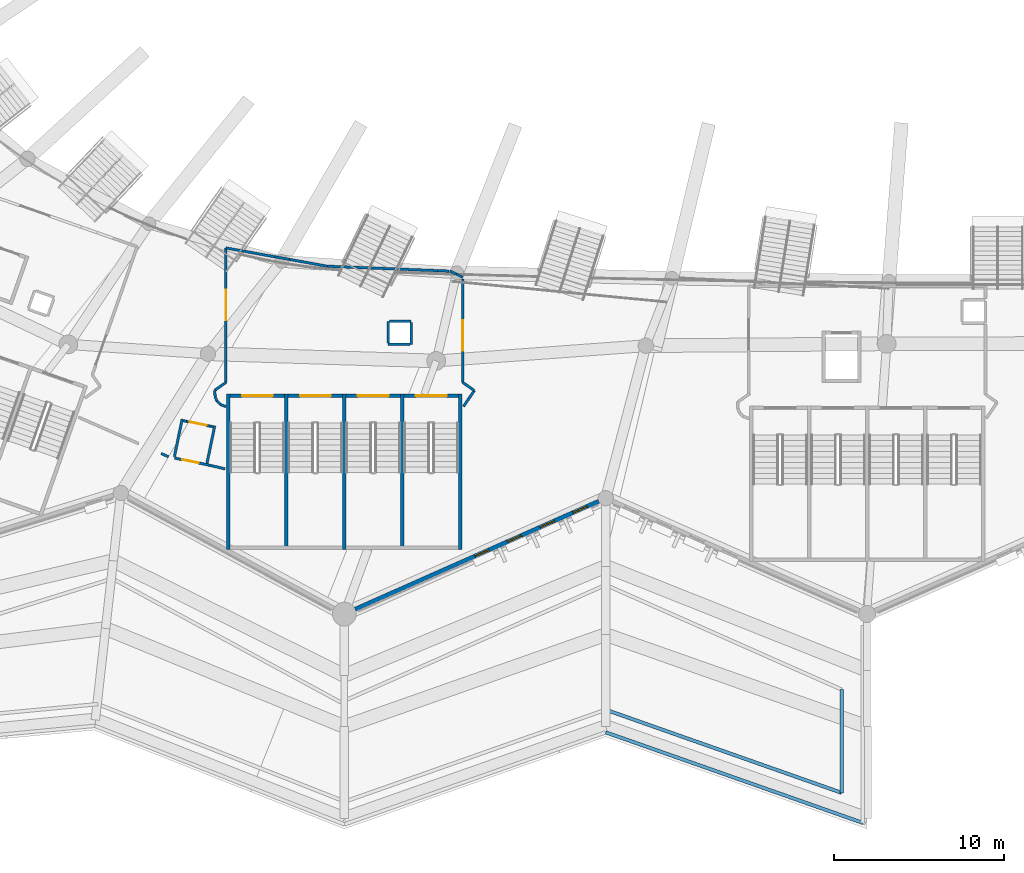
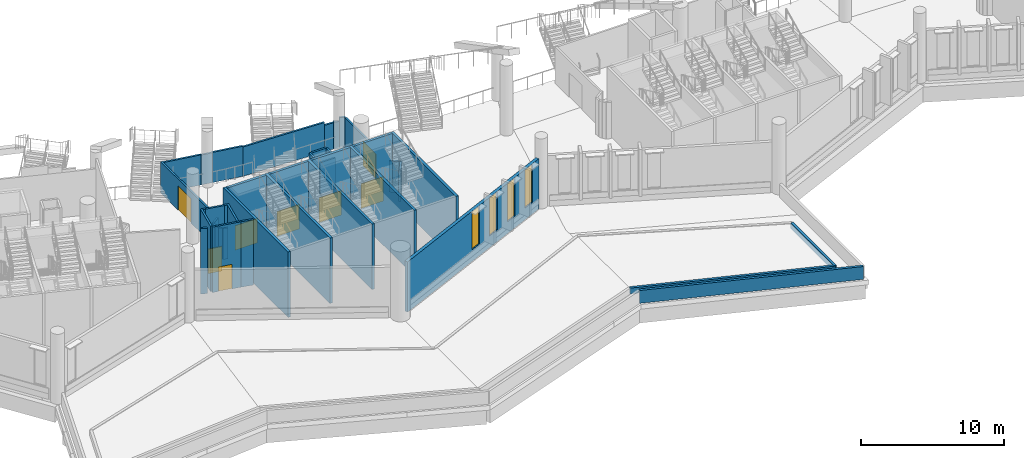
# One storey, part 45 of 173: 41 walls, 8 doors, 4 windows, 12 openings.
"""IFC4 building model written with IfcOpenShell, lengths in metres."""

from ifc_helpers import new_model, si_unit, direction, frame, frame_2d, origin, place, context, subcontext, project, spatial, rectangle, extrude, material, layer, layer_set, type_object, element, fill, save


model = new_model("IFC4")

# Units and contexts
model_context = context("Model", 3, precision=1e-05, world=origin(), true_north=direction((0.0, 1.0)))
body_context = subcontext(model_context, "Body", "Model", "MODEL_VIEW")
ifc_project = project(units=[si_unit("LENGTHUNIT", "METRE"), si_unit("AREAUNIT", "SQUARE_METRE"), si_unit("VOLUMEUNIT", "CUBIC_METRE"), si_unit("PLANEANGLEUNIT", "RADIAN"), si_unit("MASSUNIT", "GRAM", prefix="KILO")], contexts=[model_context])

# Site, building, storey
site_placement = place(None, origin())
site = spatial("IfcSite", under=ifc_project, at=site_placement, CompositionType="ELEMENT")
building_placement = place(site_placement, origin())
building = spatial("IfcBuilding", under=site, at=building_placement, Name="Meseta Stadium", CompositionType="ELEMENT")
storey_placement = place(building_placement, frame((0.0, 0.0, 18.0)))
storey = spatial("IfcBuildingStorey", under=building, at=storey_placement, Name="L03", CompositionType="ELEMENT", Elevation=18.0)

# Walls
ifc_material_1 = material(Name="Concrete C40/50", Category="concrete")
ifc_layer_1 = layer(ifc_material_1, 0.199951171875)
ifc_layer_set_1 = layer_set([ifc_layer_1], Name="Core divider wall 200")
wall_type_1 = type_object("IfcWallType", Name="Core divider wall 200", PredefinedType="SHEAR", material=ifc_layer_set_1)
for number, where, z_axis, x_axis, name in (
    (1, (-41.7333984375, -101.60009765625, 0.0), (0.0, 0.0, 1.0), (0.0, 1.0, 0.0), "Core 23 L03 stair A divider wall"),
    (2, (-34.933349609375, -101.60009765625, 0.0), (0.0, 0.0, 1.0), (0.0, 1.0, 0.0), "Core 23 L03 stair B divider wall"),
):
    element("IfcWall", number, at=place(storey_placement, frame(where, z_axis=z_axis, x_axis=x_axis)), inside=storey, type_object=wall_type_1, Name=name, PredefinedType="SHEAR", context=body_context, shape_type="SweptSolid", body=[
        extrude(rectangle(XDim=9.10009765625, YDim=0.199951171875, at=frame_2d((4.550048828125, 0.0))), origin(), (0.0, 0.0, 1.0), 5.60009765625),
    ])
ifc_material_2 = material(Name="Concrete C40/50", Category="concrete")
ifc_layer_2 = layer(ifc_material_2, 0.199951171875)
ifc_layer_set_2 = layer_set([ifc_layer_2], Name="Core shaft wall 200")
wall_type_2 = type_object("IfcWallType", Name="Core shaft wall 200", PredefinedType="SHEAR", material=ifc_layer_set_2)
for number, where, z_axis, x_axis, name in (
    (3, (-45.13330078125, -101.60009765625, 0.0), (0.0, 0.0, 1.0), (0.0, 1.0, 0.0), "Core 23 L03 stair wall A-side"),
    (4, (-38.333251953125, -101.60009765625, 0.0), (0.0, 0.0, 1.0), (0.0, 1.0, 0.0), "Core 23 L03 stair wall shared"),
    (5, (-31.533203125, -101.60009765625, 0.0), (0.0, 0.0, 1.0), (0.0, 1.0, 0.0), "Core 23 L03 stair wall B-side"),
):
    element("IfcWall", number, at=place(storey_placement, frame(where, z_axis=z_axis, x_axis=x_axis)), inside=storey, type_object=wall_type_2, Name=name, PredefinedType="SHEAR", context=body_context, shape_type="SweptSolid", body=[
        extrude(rectangle(XDim=9.10009765625, YDim=0.199951171875, at=frame_2d((4.550048828125, 0.0))), origin(), (0.0, 0.0, 1.0), 5.60009765625),
    ])

# Wall, opening, door
wall_1_placement = place(storey_placement, frame((-45.033203125, -92.60009765625, 0.0), z_axis=(0.0, 0.0, 1.0), x_axis=(1.0, 0.0, 0.0)))
wall_1 = element("IfcWall", 6, at=wall_1_placement, inside=storey, type_object=wall_type_2, Name="Core 23 L03 stair A1 inner end wall", PredefinedType="SHEAR", context=body_context, shape_type="SweptSolid", body=[
    extrude(rectangle(XDim=3.199951171875, YDim=0.199951171875, at=frame_2d((1.60009765625, 0.0))), origin(), (0.0, 0.0, 1.0), 5.60009765625),
])
opening_1_placement = place(wall_1_placement, frame((0.699951171875, 0.0, 0.0)))
opening_1 = element("IfcOpeningElement", 7, at=opening_1_placement, cuts=wall_1, Name="Opening D1373", PredefinedType="OPENING", context=body_context, shape_type="SweptSolid", body=[
    extrude(rectangle(XDim=1.800048828125, YDim=2.10009765625, at=frame_2d((0.89990234375, 1.050048828125))), frame((0.0, 0.10986328125, 0.0), z_axis=(0.0, -1.0, 0.0), x_axis=(1.0, 0.0, 0.0)), (0.0, 0.0, 1.0), 0.219970703125),
])
ifc_material_3 = material(Name="Steel", Category="steel")
door_type_1 = type_object("IfcDoorType", Name="Stair door 1800x2100", OperationType="DOUBLE_DOOR_SINGLE_SWING", PredefinedType="DOOR", material=ifc_material_3)
door_1_placement = place(opening_1_placement, origin())
door_1 = element("IfcDoor", 8, at=door_1_placement, inside=storey, type_object=door_type_1, Name="Stair A1 door 23 L03", OperationType="DOUBLE_DOOR_SINGLE_SWING", OverallHeight=2.10009765625, OverallWidth=1.800048828125, PredefinedType="DOOR", context=body_context, shape_type="SweptSolid", body=[
    extrude(rectangle(XDim=1.800048828125, YDim=2.10009765625, at=frame_2d((0.89990234375, 1.050048828125))), frame((0.0, 0.02490234375, 0.0), z_axis=(0.0, -1.0, 0.0), x_axis=(1.0, 0.0, 0.0)), (0.0, 0.0, 1.0), 0.050048828125),
])
fill(opening_1, door_1)

wall_2_placement = place(storey_placement, frame((-41.63330078125, -92.60009765625, 0.0), z_axis=(0.0, 0.0, 1.0), x_axis=(1.0, 0.0, 0.0)))
wall_2 = element("IfcWall", 9, at=wall_2_placement, inside=storey, type_object=wall_type_2, Name="Core 23 L03 stair A2 inner end wall", PredefinedType="SHEAR", context=body_context, shape_type="SweptSolid", body=[
    extrude(rectangle(XDim=3.199951171875, YDim=0.199951171875, at=frame_2d((1.60009765625, 0.0))), origin(), (0.0, 0.0, 1.0), 5.60009765625),
])
opening_2_placement = place(wall_2_placement, frame((0.699951171875, 0.0, 0.0)))
opening_2 = element("IfcOpeningElement", 10, at=opening_2_placement, cuts=wall_2, Name="Opening D1374", PredefinedType="OPENING", context=body_context, shape_type="SweptSolid", body=[
    extrude(rectangle(XDim=1.800048828125, YDim=2.10009765625, at=frame_2d((0.89990234375, 1.050048828125))), frame((0.0, 0.10986328125, 0.0), z_axis=(0.0, -1.0, 0.0), x_axis=(1.0, 0.0, 0.0)), (0.0, 0.0, 1.0), 0.219970703125),
])
door_2_placement = place(opening_2_placement, origin())
door_2 = element("IfcDoor", 11, at=door_2_placement, inside=storey, type_object=door_type_1, Name="Stair A2 door 23 L03", OperationType="DOUBLE_DOOR_SINGLE_SWING", OverallHeight=2.10009765625, OverallWidth=1.800048828125, PredefinedType="DOOR", context=body_context, shape_type="SweptSolid", body=[
    extrude(rectangle(XDim=1.800048828125, YDim=2.10009765625, at=frame_2d((0.89990234375, 1.050048828125))), frame((0.0, 0.02490234375, 0.0), z_axis=(0.0, -1.0, 0.0), x_axis=(1.0, 0.0, 0.0)), (0.0, 0.0, 1.0), 0.050048828125),
])
fill(opening_2, door_2)

wall_3_placement = place(storey_placement, frame((-38.2333984375, -92.60009765625, 0.0), z_axis=(0.0, 0.0, 1.0), x_axis=(1.0, 0.0, 0.0)))
wall_3 = element("IfcWall", 12, at=wall_3_placement, inside=storey, type_object=wall_type_2, Name="Core 23 L03 stair B1 inner end wall", PredefinedType="SHEAR", context=body_context, shape_type="SweptSolid", body=[
    extrude(rectangle(XDim=3.2001953125, YDim=0.199951171875, at=frame_2d((1.60009765625, 0.0))), origin(), (0.0, 0.0, 1.0), 5.60009765625),
])
opening_3_placement = place(wall_3_placement, frame((0.699951171875, 0.0, 0.0)))
opening_3 = element("IfcOpeningElement", 13, at=opening_3_placement, cuts=wall_3, Name="Opening D1375", PredefinedType="OPENING", context=body_context, shape_type="SweptSolid", body=[
    extrude(rectangle(XDim=1.800048828125, YDim=2.10009765625, at=frame_2d((0.89990234375, 1.050048828125))), frame((0.0, 0.10986328125, 0.0), z_axis=(0.0, -1.0, 0.0), x_axis=(1.0, 0.0, 0.0)), (0.0, 0.0, 1.0), 0.219970703125),
])
door_3_placement = place(opening_3_placement, origin())
door_3 = element("IfcDoor", 14, at=door_3_placement, inside=storey, type_object=door_type_1, Name="Stair B1 door 23 L03", OperationType="DOUBLE_DOOR_SINGLE_SWING", OverallHeight=2.10009765625, OverallWidth=1.800048828125, PredefinedType="DOOR", context=body_context, shape_type="SweptSolid", body=[
    extrude(rectangle(XDim=1.800048828125, YDim=2.10009765625, at=frame_2d((0.89990234375, 1.050048828125))), frame((0.0, 0.02490234375, 0.0), z_axis=(0.0, -1.0, 0.0), x_axis=(1.0, 0.0, 0.0)), (0.0, 0.0, 1.0), 0.050048828125),
])
fill(opening_3, door_3)

wall_4_placement = place(storey_placement, frame((-34.833251953125, -92.60009765625, 0.0), z_axis=(0.0, 0.0, 1.0), x_axis=(1.0, 0.0, 0.0)))
wall_4 = element("IfcWall", 15, at=wall_4_placement, inside=storey, type_object=wall_type_2, Name="Core 23 L03 stair B2 inner end wall", PredefinedType="SHEAR", context=body_context, shape_type="SweptSolid", body=[
    extrude(rectangle(XDim=3.199951171875, YDim=0.199951171875, at=frame_2d((1.60009765625, 0.0))), origin(), (0.0, 0.0, 1.0), 5.60009765625),
])
opening_4_placement = place(wall_4_placement, frame((0.699951171875, 0.0, 0.0)))
opening_4 = element("IfcOpeningElement", 16, at=opening_4_placement, cuts=wall_4, Name="Opening D1376", PredefinedType="OPENING", context=body_context, shape_type="SweptSolid", body=[
    extrude(rectangle(XDim=1.800048828125, YDim=2.10009765625, at=frame_2d((0.89990234375, 1.050048828125))), frame((0.0, 0.10986328125, 0.0), z_axis=(0.0, -1.0, 0.0), x_axis=(1.0, 0.0, 0.0)), (0.0, 0.0, 1.0), 0.219970703125),
])
door_4_placement = place(opening_4_placement, origin())
door_4 = element("IfcDoor", 17, at=door_4_placement, inside=storey, type_object=door_type_1, Name="Stair B2 door 23 L03", OperationType="DOUBLE_DOOR_SINGLE_SWING", OverallHeight=2.10009765625, OverallWidth=1.800048828125, PredefinedType="DOOR", context=body_context, shape_type="SweptSolid", body=[
    extrude(rectangle(XDim=1.800048828125, YDim=2.10009765625, at=frame_2d((0.89990234375, 1.050048828125))), frame((0.0, 0.02490234375, 0.0), z_axis=(0.0, -1.0, 0.0), x_axis=(1.0, 0.0, 0.0)), (0.0, 0.0, 1.0), 0.050048828125),
])
fill(opening_4, door_4)

# Wall
ifc_material_4 = material(Name="Masonry blockwork", Category="masonry")
ifc_layer_3 = layer(ifc_material_4, 0.14990234375)
ifc_layer_set_3 = layer_set([ifc_layer_3], Name="Partition 150")
wall_type_3 = type_object("IfcWallType", Name="Partition 150", PredefinedType="PARTITIONING", material=ifc_layer_set_3)
wall_5_placement = place(storey_placement, frame((-49.082763671875, -95.978515625, 0.0), z_axis=(0.0, 0.0, 1.0), x_axis=(0.915644030191, -0.401990062035, 0.0)))
element("IfcWall", 18, at=wall_5_placement, inside=storey, type_object=wall_type_3, Name="Partition L03 L03-cell21-1-0", PredefinedType="PARTITIONING", context=body_context, shape_type="SweptSolid", body=[
    extrude(rectangle(XDim=0.48095703125, YDim=0.14990234375, at=frame_2d((0.240478515625, 0.0))), origin(), (0.0, 0.0, 1.0), 5.60009765625),
])

# Wall, opening, door
wall_6_placement = place(storey_placement, frame((-48.29150390625, -96.244140625, 0.0), z_axis=(0.0, 0.0, 1.0), x_axis=(0.979454370032, -0.201665904471, 0.0)))
wall_6 = element("IfcWall", 19, at=wall_6_placement, inside=storey, type_object=wall_type_3, Name="Partition L03 L03-cell21-1-0", PredefinedType="PARTITIONING", context=body_context, shape_type="SweptSolid", body=[
    extrude(rectangle(XDim=2.122314453125, YDim=0.14990234375, at=frame_2d((1.06103515625, 0.0))), origin(), (0.0, 0.0, 1.0), 5.60009765625),
])
opening_5_placement = place(wall_6_placement, frame((0.449951171875, 0.0, 0.0)))
opening_5 = element("IfcOpeningElement", 20, at=opening_5_placement, cuts=wall_6, Name="Opening D1368", PredefinedType="OPENING", context=body_context, shape_type="SweptSolid", body=[
    extrude(rectangle(XDim=1.0, YDim=2.10009765625, at=frame_2d((0.5, 1.050048828125))), frame((0.0, 0.0849609375, 0.0), z_axis=(0.0, -1.0, 0.0), x_axis=(1.0, 0.0, 0.0)), (0.0, 0.0, 1.0), 0.169921875),
])
ifc_material_5 = material(Name="Steel", Category="steel")
door_type_2 = type_object("IfcDoorType", Name="Fire door 1000x2100 EI2 60", OperationType="NOTDEFINED", PredefinedType="DOOR", material=ifc_material_5)
door_5_placement = place(opening_5_placement, origin())
door_5 = element("IfcDoor", 21, at=door_5_placement, inside=storey, type_object=door_type_2, Name="Room door L03 L03-cell21-1-0", OperationType="SINGLE_SWING_LEFT", OverallHeight=2.10009765625, OverallWidth=1.0, PredefinedType="DOOR", context=body_context, shape_type="SweptSolid", body=[
    extrude(rectangle(XDim=1.0, YDim=2.10009765625, at=frame_2d((0.5, 1.050048828125))), frame((0.0, 0.02490234375, 0.0), z_axis=(0.0, -1.0, 0.0), x_axis=(1.0, 0.0, 0.0)), (0.0, 0.0, 1.0), 0.050048828125),
])
fill(opening_5, door_5)

# Walls
wall_7_placement = place(storey_placement, frame((-46.212890625, -96.672119140625, 0.0), z_axis=(0.0, 0.0, 1.0), x_axis=(0.972431382429, -0.233189207443, 0.0)))
element("IfcWall", 22, at=wall_7_placement, inside=storey, type_object=wall_type_3, Name="Partition L03 L03-cell21-1-0", PredefinedType="PARTITIONING", context=body_context, shape_type="SweptSolid", body=[
    extrude(rectangle(XDim=0.904541015625, YDim=0.14990234375, at=frame_2d((0.4521484375, 0.0))), origin(), (0.0, 0.0, 1.0), 5.60009765625),
])
wall_8_placement = place(storey_placement, frame((-35.75830078125, -89.576171875, 0.0), z_axis=(0.0, 0.0, 1.0), x_axis=(1.0, 0.0, 0.0)))
element("IfcWall", 23, at=wall_8_placement, inside=storey, type_object=wall_type_3, Name="Pressurisation shaft wall L03 core 23", PredefinedType="PARTITIONING", context=body_context, shape_type="SweptSolid", body=[
    extrude(rectangle(XDim=1.27490234375, YDim=0.14990234375, at=frame_2d((0.637451171875, 0.0))), origin(), (0.0, 0.0, 1.0), 2.666748046875),
])
for number, where, z_axis, x_axis, name in (
    (24, (-34.408203125, -89.576171875, 0.0), (0.0, 0.0, 1.0), (0.0, 1.0, 0.0), "Pressurisation shaft wall L03 core 23"),
    (25, (-34.408203125, -88.22607421875, 0.0), (0.0, 0.0, 1.0), (-1.0, 0.0, 0.0), "Pressurisation shaft wall L03 core 23"),
    (26, (-35.75830078125, -88.22607421875, 0.0), (0.0, 0.0, 1.0), (0.0, -1.0, 0.0), "Pressurisation shaft wall L03 core 23"),
):
    element("IfcWall", number, at=place(storey_placement, frame(where, z_axis=z_axis, x_axis=x_axis)), inside=storey, type_object=wall_type_3, Name=name, PredefinedType="PARTITIONING", context=body_context, shape_type="SweptSolid", body=[
        extrude(rectangle(XDim=1.275146484375, YDim=0.14990234375, at=frame_2d((0.6376953125, 0.0))), origin(), (0.0, 0.0, 1.0), 2.666748046875),
    ])
wall_9_placement = place(storey_placement, frame((-45.929931640625, -92.268798828125, 0.0), z_axis=(0.0, 0.0, 1.0), x_axis=(0.039083544188, -0.999235946398, 0.0)))
element("IfcWall", 27, at=wall_9_placement, inside=storey, type_object=wall_type_3, Name="Stair vestibule wall L03 core 23", PredefinedType="PARTITIONING", context=body_context, shape_type="SweptSolid", body=[
    extrude(rectangle(XDim=0.374755859375, YDim=0.14990234375, at=frame_2d((0.1875, 0.0))), origin(), (0.0, 0.0, 1.0), 2.666748046875),
])
wall_10_placement = place(storey_placement, frame((-45.915283203125, -92.643310546875, 0.0), z_axis=(0.0, 0.0, 1.0), x_axis=(0.382275228123, -0.924048510611, 0.0)))
element("IfcWall", 28, at=wall_10_placement, inside=storey, type_object=wall_type_3, Name="Stair vestibule wall L03 core 23", PredefinedType="PARTITIONING", context=body_context, shape_type="SweptSolid", body=[
    extrude(rectangle(XDim=0.28173828125, YDim=0.14990234375, at=frame_2d((0.140869140625, 0.0))), origin(), (0.0, 0.0, 1.0), 2.666748046875),
])
wall_11_placement = place(storey_placement, frame((-45.8076171875, -92.903564453125, 0.0), z_axis=(0.0, 0.0, 1.0), x_axis=(0.707534941396, -0.706678361564, 0.0)))
element("IfcWall", 29, at=wall_11_placement, inside=storey, type_object=wall_type_3, Name="Stair vestibule wall L03 core 23", PredefinedType="PARTITIONING", context=body_context, shape_type="SweptSolid", body=[
    extrude(rectangle(XDim=0.284912109375, YDim=0.14990234375, at=frame_2d((0.142578125, 0.0))), origin(), (0.0, 0.0, 1.0), 2.666748046875),
])
wall_12_placement = place(storey_placement, frame((-45.60595703125, -93.10498046875, 0.0), z_axis=(0.0, 0.0, 1.0), x_axis=(0.937757023355, -0.347292045903, 0.0)))
element("IfcWall", 30, at=wall_12_placement, inside=storey, type_object=wall_type_3, Name="Stair vestibule wall L03 core 23", PredefinedType="PARTITIONING", context=body_context, shape_type="SweptSolid", body=[
    extrude(rectangle(XDim=0.3564453125, YDim=0.14990234375, at=frame_2d((0.17822265625, 0.0))), origin(), (0.0, 0.0, 1.0), 2.666748046875),
])
wall_13_placement = place(storey_placement, frame((-31.34375, -93.2197265625, 0.0), z_axis=(0.0, 0.0, 1.0), x_axis=(0.562422564308, 0.826849961697, 0.0)))
element("IfcWall", 31, at=wall_13_placement, inside=storey, type_object=wall_type_3, Name="Stair vestibule wall L03 core 23", PredefinedType="PARTITIONING", context=body_context, shape_type="SweptSolid", body=[
    extrude(rectangle(XDim=1.12744140625, YDim=0.14990234375, at=frame_2d((0.563720703125, 0.0))), origin(), (0.0, 0.0, 1.0), 2.666748046875),
])
wall_14_placement = place(storey_placement, frame((-30.709716796875, -92.28759765625, 0.0), z_axis=(0.0, 0.0, 1.0), x_axis=(-0.817334487726, 0.5761634622, 0.0)))
element("IfcWall", 32, at=wall_14_placement, inside=storey, type_object=wall_type_3, Name="Stair vestibule wall L03 core 23", PredefinedType="PARTITIONING", context=body_context, shape_type="SweptSolid", body=[
    extrude(rectangle(XDim=0.830078125, YDim=0.14990234375, at=frame_2d((0.4150390625, 0.0))), origin(), (0.0, 0.0, 1.0), 2.666748046875),
])

# Wall, opening, door
wall_15_placement = place(storey_placement, frame((-31.38818359375, -91.809326171875, 0.0), z_axis=(0.0, 0.0, 1.0), x_axis=(8.037293e-05, 0.99999999677, 0.0)))
wall_15 = element("IfcWall", 33, at=wall_15_placement, inside=storey, type_object=wall_type_3, Name="Stair vestibule wall L03 core 23", PredefinedType="PARTITIONING", context=body_context, shape_type="SweptSolid", body=[
    extrude(rectangle(XDim=6.0751953125, YDim=0.14990234375, at=frame_2d((3.03759765625, 0.0))), origin(), (0.0, 0.0, 1.0), 2.666748046875),
])
opening_6_placement = place(wall_15_placement, frame((1.85009765625, 0.0, 0.0)))
opening_6 = element("IfcOpeningElement", 34, at=opening_6_placement, cuts=wall_15, Name="Opening D1378", PredefinedType="OPENING", context=body_context, shape_type="SweptSolid", body=[
    extrude(rectangle(XDim=1.800048828125, YDim=2.10009765625, at=frame_2d((0.89990234375, 1.050048828125))), frame((0.0, 0.0849609375, 0.0), z_axis=(0.0, -1.0, 0.0), x_axis=(1.0, 0.0, 0.0)), (0.0, 0.0, 1.0), 0.169921875),
])
ifc_material_6 = material(Name="Steel", Category="steel")
door_type_3 = type_object("IfcDoorType", Name="Fire double door 1800x2100 EI2 60", OperationType="DOUBLE_DOOR_SINGLE_SWING", PredefinedType="DOOR", material=ifc_material_6)
door_6_placement = place(opening_6_placement, origin())
door_6 = element("IfcDoor", 35, at=door_6_placement, inside=storey, type_object=door_type_3, Name="Stair vestibule door L03 core 23", OperationType="DOUBLE_DOOR_SINGLE_SWING", OverallHeight=2.10009765625, OverallWidth=1.800048828125, PredefinedType="DOOR", context=body_context, shape_type="SweptSolid", body=[
    extrude(rectangle(XDim=1.800048828125, YDim=2.10009765625, at=frame_2d((0.89990234375, 1.050048828125))), frame((0.0, 0.02490234375, 0.0), z_axis=(0.0, -1.0, 0.0), x_axis=(1.0, 0.0, 0.0)), (0.0, 0.0, 1.0), 0.050048828125),
])
fill(opening_6, door_6)

# Walls
wall_16_placement = place(storey_placement, frame((-32.183837890625, -85.281005859375, 0.0), z_axis=(0.0, 0.0, 1.0), x_axis=(-0.999194762281, 0.040122649842, 0.0)))
element("IfcWall", 36, at=wall_16_placement, inside=storey, type_object=wall_type_3, Name="Stair vestibule wall L03 core 23", PredefinedType="PARTITIONING", context=body_context, shape_type="SweptSolid", body=[
    extrude(rectangle(XDim=0.693603515625, YDim=0.14990234375, at=frame_2d((0.3466796875, 0.0))), origin(), (0.0, 0.0, 1.0), 2.256591796875),
])
wall_17_placement = place(storey_placement, frame((-32.876953125, -85.253173828125, 0.0), z_axis=(0.0, 0.0, 1.0), x_axis=(-0.999199750422, 0.039998234429, 0.0)))
element("IfcWall", 37, at=wall_17_placement, inside=storey, type_object=wall_type_3, Name="Stair vestibule wall L03 core 23", PredefinedType="PARTITIONING", context=body_context, shape_type="SweptSolid", body=[
    extrude(rectangle(XDim=6.457763671875, YDim=0.14990234375, at=frame_2d((3.22900390625, 0.0))), origin(), (0.0, 0.0, 1.0), 2.506103515625),
])
wall_18_placement = place(storey_placement, frame((-39.32958984375, -84.994873046875, 0.0), z_axis=(0.0, 0.0, 1.0), x_axis=(-0.984135059847, 0.177420923174, 0.0)))
element("IfcWall", 38, at=wall_18_placement, inside=storey, type_object=wall_type_3, Name="Stair vestibule wall L03 core 23", PredefinedType="PARTITIONING", context=body_context, shape_type="SweptSolid", body=[
    extrude(rectangle(XDim=2.259521484375, YDim=0.14990234375, at=frame_2d((1.1298828125, 0.0))), origin(), (0.0, 0.0, 1.0), 2.581298828125),
])
wall_19_placement = place(storey_placement, frame((-42.40869140625, -84.439697265625, 0.0), z_axis=(0.0, 0.0, 1.0), x_axis=(-0.984120784208, 0.177500090396, 0.0)))
element("IfcWall", 39, at=wall_19_placement, inside=storey, type_object=wall_type_3, Name="Stair vestibule wall L03 core 23", PredefinedType="PARTITIONING", context=body_context, shape_type="SweptSolid", body=[
    extrude(rectangle(XDim=2.916015625, YDim=0.14990234375, at=frame_2d((1.4580078125, 0.0))), origin(), (0.0, 0.0, 1.0), 2.581298828125),
])

# Wall, opening, door
wall_20_placement = place(storey_placement, frame((-45.2783203125, -83.922119140625, 0.0), z_axis=(0.0, 0.0, 1.0), x_axis=(0.0, -1.0, 0.0)))
wall_20 = element("IfcWall", 40, at=wall_20_placement, inside=storey, type_object=wall_type_3, Name="Stair vestibule wall L03 core 23", PredefinedType="PARTITIONING", context=body_context, shape_type="SweptSolid", body=[
    extrude(rectangle(XDim=7.88720703125, YDim=0.14990234375, at=frame_2d((3.943603515625, 0.0))), origin(), (0.0, 0.0, 1.0), 2.666748046875),
])
opening_7_placement = place(wall_20_placement, frame((2.449951171875, 0.0, 0.0)))
opening_7 = element("IfcOpeningElement", 41, at=opening_7_placement, cuts=wall_20, Name="Opening D1371", PredefinedType="OPENING", context=body_context, shape_type="SweptSolid", body=[
    extrude(rectangle(XDim=1.800048828125, YDim=2.10009765625, at=frame_2d((0.89990234375, 1.050048828125))), frame((0.0, 0.0849609375, 0.0), z_axis=(0.0, -1.0, 0.0), x_axis=(1.0, 0.0, 0.0)), (0.0, 0.0, 1.0), 0.169921875),
])
door_7_placement = place(opening_7_placement, origin())
door_7 = element("IfcDoor", 42, at=door_7_placement, inside=storey, type_object=door_type_3, Name="Stair vestibule door L03 core 23", OperationType="DOUBLE_DOOR_SINGLE_SWING", OverallHeight=2.10009765625, OverallWidth=1.800048828125, PredefinedType="DOOR", context=body_context, shape_type="SweptSolid", body=[
    extrude(rectangle(XDim=1.800048828125, YDim=2.10009765625, at=frame_2d((0.89990234375, 1.050048828125))), frame((0.0, 0.02490234375, 0.0), z_axis=(0.0, -1.0, 0.0), x_axis=(1.0, 0.0, 0.0)), (0.0, 0.0, 1.0), 0.050048828125),
])
fill(opening_7, door_7)

# Walls
wall_21_placement = place(storey_placement, frame((-45.2783203125, -91.809326171875, 0.0), z_axis=(0.0, 0.0, 1.0), x_axis=(-0.817672741853, -0.575683322002, 0.0)))
element("IfcWall", 43, at=wall_21_placement, inside=storey, type_object=wall_type_3, Name="Stair vestibule wall L03 core 23", PredefinedType="PARTITIONING", context=body_context, shape_type="SweptSolid", body=[
    extrude(rectangle(XDim=0.7958984375, YDim=0.14990234375, at=frame_2d((0.39794921875, 0.0))), origin(), (0.0, 0.0, 1.0), 2.666748046875),
])
wall_22_placement = place(storey_placement, frame((-31.385009765625, -85.638427734375, 0.0), z_axis=(0.0, 0.0, 1.0), x_axis=(-0.900217444271, 0.435440642373, 0.0)))
element("IfcWall", 44, at=wall_22_placement, inside=storey, type_object=wall_type_3, Name="Stair vestibule wall L03 core 23", PredefinedType="PARTITIONING", context=body_context, shape_type="SweptSolid", body=[
    extrude(rectangle(XDim=0.42431640625, YDim=0.14990234375, at=frame_2d((0.212158203125, 0.0))), origin(), (0.0, 0.0, 1.0), 2.666748046875),
])
wall_23_placement = place(storey_placement, frame((-31.76708984375, -85.45361328125, 0.0), z_axis=(0.0, 0.0, 1.0), x_axis=(-0.899991899384, 0.435906619638, 0.0)))
element("IfcWall", 45, at=wall_23_placement, inside=storey, type_object=wall_type_3, Name="Stair vestibule wall L03 core 23", PredefinedType="PARTITIONING", context=body_context, shape_type="SweptSolid", body=[
    extrude(rectangle(XDim=0.424560546875, YDim=0.14990234375, at=frame_2d((0.21240234375, 0.0))), origin(), (0.0, 0.0, 1.0), 2.315673828125),
])
wall_24_placement = place(storey_placement, frame((-41.55322265625, -84.593994140625, 0.0), z_axis=(0.0, 0.0, 1.0), x_axis=(-0.984120583858, 0.177501201198, 0.0)))
element("IfcWall", 46, at=wall_24_placement, inside=storey, type_object=wall_type_3, Name="Stair vestibule wall L03 core 23", PredefinedType="PARTITIONING", context=body_context, shape_type="SweptSolid", body=[
    extrude(rectangle(XDim=0.869384765625, YDim=0.14990234375, at=frame_2d((0.4345703125, 0.0))), origin(), (0.0, 0.0, 1.0), 2.556396484375),
])
wall_25_placement = place(storey_placement, frame((-48.30078125, -96.16552734375, 0.0), z_axis=(0.0, 0.0, 1.0), x_axis=(0.201726403033, 0.979441911662, 0.0)))
element("IfcWall", 47, at=wall_25_placement, inside=storey, type_object=wall_type_3, Name="Partition L03 L03-cell21-1-0 vestibule", PredefinedType="PARTITIONING", context=body_context, shape_type="SweptSolid", body=[
    extrude(rectangle(XDim=2.249755859375, YDim=0.14990234375, at=frame_2d((1.125, 0.0))), origin(), (0.0, 0.0, 1.0), 5.60009765625),
])
wall_26_placement = place(storey_placement, frame((-46.390869140625, -96.558837890625, 0.0), z_axis=(0.0, 0.0, 1.0), x_axis=(0.201704965263, 0.979446326752, 0.0)))
element("IfcWall", 48, at=wall_26_placement, inside=storey, type_object=wall_type_3, Name="Partition L03 L03-cell21-1-0 vestibule", PredefinedType="PARTITIONING", context=body_context, shape_type="SweptSolid", body=[
    extrude(rectangle(XDim=2.25, YDim=0.14990234375, at=frame_2d((1.125, 0.0))), origin(), (0.0, 0.0, 1.0), 5.60009765625),
])
wall_27_placement = place(storey_placement, frame((-47.78857421875, -94.05029296875, 0.0), z_axis=(0.0, 0.0, 1.0), x_axis=(0.979243709193, -0.202686353773, 0.0)))
element("IfcWall", 49, at=wall_27_placement, inside=storey, type_object=wall_type_3, Name="Partition L03 L03-cell21-1-0 vestibule", PredefinedType="PARTITIONING", context=body_context, shape_type="SweptSolid", body=[
    extrude(rectangle(XDim=0.199951171875, YDim=0.14990234375, at=frame_2d((0.10009765625, 0.0))), origin(), (0.0, 0.0, 1.0), 5.60009765625),
])

# Wall, opening, door
wall_28_placement = place(storey_placement, frame((-47.5927734375, -94.0908203125, 0.0), z_axis=(0.0, 0.0, 1.0), x_axis=(0.9794722351, -0.201579117639, 0.0)))
wall_28 = element("IfcWall", 50, at=wall_28_placement, inside=storey, type_object=wall_type_3, Name="Partition L03 L03-cell21-1-0 vestibule", PredefinedType="PARTITIONING", context=body_context, shape_type="SweptSolid", body=[
    extrude(rectangle(XDim=1.400146484375, YDim=0.14990234375, at=frame_2d((0.7001953125, 0.0))), origin(), (0.0, 0.0, 1.0), 5.60009765625),
])
opening_8_placement = place(wall_28_placement, frame((0.199951171875, 0.0, 0.0)))
opening_8 = element("IfcOpeningElement", 51, at=opening_8_placement, cuts=wall_28, Name="Opening D1369", PredefinedType="OPENING", context=body_context, shape_type="SweptSolid", body=[
    extrude(rectangle(XDim=1.0, YDim=2.10009765625, at=frame_2d((0.5, 1.050048828125))), frame((0.0, 0.0849609375, 0.0), z_axis=(0.0, -1.0, 0.0), x_axis=(1.0, 0.0, 0.0)), (0.0, 0.0, 1.0), 0.169921875),
])
door_8_placement = place(opening_8_placement, origin())
door_8 = element("IfcDoor", 52, at=door_8_placement, inside=storey, type_object=door_type_2, Name="Vestibule door L03 L03-cell21-1-0", OperationType="SINGLE_SWING_LEFT", OverallHeight=2.10009765625, OverallWidth=1.0, PredefinedType="DOOR", context=body_context, shape_type="SweptSolid", body=[
    extrude(rectangle(XDim=1.0, YDim=2.10009765625, at=frame_2d((0.5, 1.050048828125))), frame((0.0, 0.02490234375, 0.0), z_axis=(0.0, -1.0, 0.0), x_axis=(1.0, 0.0, 0.0)), (0.0, 0.0, 1.0), 0.050048828125),
])
fill(opening_8, door_8)

# Walls
wall_29_placement = place(storey_placement, frame((-46.221435546875, -94.373046875, 0.0), z_axis=(0.0, 0.0, 1.0), x_axis=(0.979243709193, -0.202686353773, 0.0)))
element("IfcWall", 53, at=wall_29_placement, inside=storey, type_object=wall_type_3, Name="Partition L03 L03-cell21-1-0 vestibule", PredefinedType="PARTITIONING", context=body_context, shape_type="SweptSolid", body=[
    extrude(rectangle(XDim=0.199951171875, YDim=0.14990234375, at=frame_2d((0.10009765625, 0.0))), origin(), (0.0, 0.0, 1.0), 5.60009765625),
])
ifc_material_7 = material(Name="Precast concrete C40/50", Category="concrete")
ifc_layer_4 = layer(ifc_material_7, 0.199951171875)
ifc_layer_set_4 = layer_set([ifc_layer_4], Name="Planter kerb 200")
wall_type_4 = type_object("IfcWallType", Name="Planter kerb 200", PredefinedType="USERDEFINED", material=ifc_layer_set_4)
wall_30_placement = place(storey_placement, frame((-9.166748046875, -109.821533203125, 0.0), z_axis=(0.0, 0.0, 1.0), x_axis=(0.0, -1.0, 0.0)))
element("IfcWall", 54, at=wall_30_placement, inside=storey, type_object=wall_type_4, Name="Planter kerb 6.1.7", ObjectType="PLANTER", PredefinedType="USERDEFINED", context=body_context, shape_type="SweptSolid", body=[
    extrude(rectangle(XDim=6.059814453125, YDim=0.199951171875, at=frame_2d((3.02978515625, 0.0))), origin(), (0.0, 0.0, 1.0), 0.5),
])
wall_31_placement = place(storey_placement, frame((-9.166748046875, -115.88134765625, 0.0), z_axis=(0.0, 0.0, 1.0), x_axis=(-0.943219987092, 0.332168716091, 0.0)))
element("IfcWall", 55, at=wall_31_placement, inside=storey, type_object=wall_type_4, Name="Planter kerb 6.1.8", ObjectType="PLANTER", PredefinedType="USERDEFINED", context=body_context, shape_type="SweptSolid", body=[
    extrude(rectangle(XDim=14.666015625, YDim=0.199951171875, at=frame_2d((7.3330078125, 0.0))), origin(), (0.0, 0.0, 1.0), 0.5),
])

# Wall, openings, windows
ifc_material_8 = material(Name="White precast concrete C40/50", Category="concrete")
ifc_layer_5 = layer(ifc_material_8, 0.25)
ifc_layer_set_5 = layer_set([ifc_layer_5], Name="Pleated panel wall 250")
wall_type_5 = type_object("IfcWallType", Name="Pleated panel wall 250", PredefinedType="SOLIDWALL", material=ifc_layer_set_5)
wall_32_placement = place(storey_placement, frame((-23.410888671875, -98.7822265625, 0.0), z_axis=(0.0, 0.0, 1.0), x_axis=(-0.914140506485, -0.405397501722, 0.0)))
wall_32 = element("IfcWall", 56, at=wall_32_placement, inside=storey, type_object=wall_type_5, Name="Pleated facade panel L03 F44", PredefinedType="SOLIDWALL", context=body_context, shape_type="SweptSolid", body=[
    extrude(rectangle(XDim=15.624755859375, YDim=0.25, at=frame_2d((7.8125, 0.0))), origin(), (0.0, 0.0, 1.0), 4.300048828125),
])
opening_9_placement = place(wall_32_placement, frame((0.75048828125, 0.0, 1.0)))
opening_9 = element("IfcOpeningElement", 57, at=opening_9_placement, cuts=wall_32, Name="Opening W100", PredefinedType="OPENING", context=body_context, shape_type="SweptSolid", body=[
    extrude(rectangle(XDim=0.89990234375, YDim=3.25, at=frame_2d((0.449951171875, 1.625))), frame((0.0, 0.135009765625, 0.0), z_axis=(0.0, -1.0, 0.0), x_axis=(1.0, 0.0, 0.0)), (0.0, 0.0, 1.0), 0.27001953125),
])
opening_10_placement = place(wall_32_placement, frame((2.850341796875, 0.0, 1.0)))
opening_10 = element("IfcOpeningElement", 58, at=opening_10_placement, cuts=wall_32, Name="Opening W099", PredefinedType="OPENING", context=body_context, shape_type="SweptSolid", body=[
    extrude(rectangle(XDim=0.89990234375, YDim=3.25, at=frame_2d((0.449951171875, 1.625))), frame((0.0, 0.135009765625, 0.0), z_axis=(0.0, -1.0, 0.0), x_axis=(1.0, 0.0, 0.0)), (0.0, 0.0, 1.0), 0.27001953125),
])
opening_11_placement = place(wall_32_placement, frame((4.950439453125, 0.0, 1.0)))
opening_11 = element("IfcOpeningElement", 59, at=opening_11_placement, cuts=wall_32, Name="Opening W098", PredefinedType="OPENING", context=body_context, shape_type="SweptSolid", body=[
    extrude(rectangle(XDim=0.89990234375, YDim=3.25, at=frame_2d((0.449951171875, 1.625))), frame((0.0, 0.135009765625, 0.0), z_axis=(0.0, -1.0, 0.0), x_axis=(1.0, 0.0, 0.0)), (0.0, 0.0, 1.0), 0.27001953125),
])
opening_12_placement = place(wall_32_placement, frame((7.05029296875, 0.0, 1.0)))
opening_12 = element("IfcOpeningElement", 60, at=opening_12_placement, cuts=wall_32, Name="Opening W097", PredefinedType="OPENING", context=body_context, shape_type="SweptSolid", body=[
    extrude(rectangle(XDim=0.89990234375, YDim=3.25, at=frame_2d((0.449951171875, 1.625))), frame((0.0, 0.135009765625, 0.0), z_axis=(0.0, -1.0, 0.0), x_axis=(1.0, 0.0, 0.0)), (0.0, 0.0, 1.0), 0.27001953125),
])
ifc_material_9 = material(Name="Aluminium", Category="aluminium")
window_type = type_object("IfcWindowType", Name="Slot window 900x3250", PartitioningType="SINGLE_PANEL", PredefinedType="WINDOW", material=ifc_material_9)
window_1_placement = place(opening_9_placement, origin())
window_1 = element("IfcWindow", 61, at=window_1_placement, inside=storey, type_object=window_type, Name="Slot window L03 F44.1", OverallHeight=3.25, OverallWidth=0.89990234375, PartitioningType="SINGLE_PANEL", PredefinedType="WINDOW", context=body_context, shape_type="SweptSolid", body=[
    extrude(rectangle(XDim=0.89990234375, YDim=3.25, at=frame_2d((0.449951171875, 1.625))), frame((0.0, 0.030029296875, 0.0), z_axis=(0.0, -1.0, 0.0), x_axis=(1.0, 0.0, 0.0)), (0.0, 0.0, 1.0), 0.06005859375),
])
fill(opening_9, window_1)
window_2_placement = place(opening_10_placement, origin())
window_2 = element("IfcWindow", 62, at=window_2_placement, inside=storey, type_object=window_type, Name="Slot window L03 F44.2", OverallHeight=3.25, OverallWidth=0.89990234375, PartitioningType="SINGLE_PANEL", PredefinedType="WINDOW", context=body_context, shape_type="SweptSolid", body=[
    extrude(rectangle(XDim=0.89990234375, YDim=3.25, at=frame_2d((0.449951171875, 1.625))), frame((0.0, 0.030029296875, 0.0), z_axis=(0.0, -1.0, 0.0), x_axis=(1.0, 0.0, 0.0)), (0.0, 0.0, 1.0), 0.06005859375),
])
fill(opening_10, window_2)
window_3_placement = place(opening_11_placement, origin())
window_3 = element("IfcWindow", 63, at=window_3_placement, inside=storey, type_object=window_type, Name="Slot window L03 F44.3", OverallHeight=3.25, OverallWidth=0.89990234375, PartitioningType="SINGLE_PANEL", PredefinedType="WINDOW", context=body_context, shape_type="SweptSolid", body=[
    extrude(rectangle(XDim=0.89990234375, YDim=3.25, at=frame_2d((0.449951171875, 1.625))), frame((0.0, 0.030029296875, 0.0), z_axis=(0.0, -1.0, 0.0), x_axis=(1.0, 0.0, 0.0)), (0.0, 0.0, 1.0), 0.06005859375),
])
fill(opening_11, window_3)
window_4_placement = place(opening_12_placement, origin())
window_4 = element("IfcWindow", 64, at=window_4_placement, inside=storey, type_object=window_type, Name="Slot window L03 F44.4", OverallHeight=3.25, OverallWidth=0.89990234375, PartitioningType="SINGLE_PANEL", PredefinedType="WINDOW", context=body_context, shape_type="SweptSolid", body=[
    extrude(rectangle(XDim=0.89990234375, YDim=3.25, at=frame_2d((0.449951171875, 1.625))), frame((0.0, 0.030029296875, 0.0), z_axis=(0.0, -1.0, 0.0), x_axis=(1.0, 0.0, 0.0)), (0.0, 0.0, 1.0), 0.06005859375),
])
fill(opening_12, window_4)

# Wall
ifc_material_10 = material(Name="Concrete C40/50", Category="concrete")
ifc_layer_6 = layer(ifc_material_10, 0.199951171875)
ifc_layer_set_6 = layer_set([ifc_layer_6], Name="Roof parapet 200")
wall_type_6 = type_object("IfcWallType", Name="Roof parapet 200", PredefinedType="PARAPET", material=ifc_layer_set_6)
wall_33_placement = place(storey_placement, frame((-7.916748046875, -117.64697265625, 0.0), z_axis=(0.0, 0.0, 1.0), x_axis=(-0.943215600228, 0.332181172687, 0.0)))
element("IfcWall", 65, at=wall_33_placement, inside=storey, type_object=wall_type_6, Name="Roof parapet 6.40.1", PredefinedType="PARAPET", context=body_context, shape_type="SweptSolid", body=[
    extrude(rectangle(XDim=15.9912109375, YDim=0.199951171875, at=frame_2d((7.99560546875, 0.0))), origin(), (0.0, 0.0, 1.0), 1.10009765625),
])

save(model, "model.ifc")
